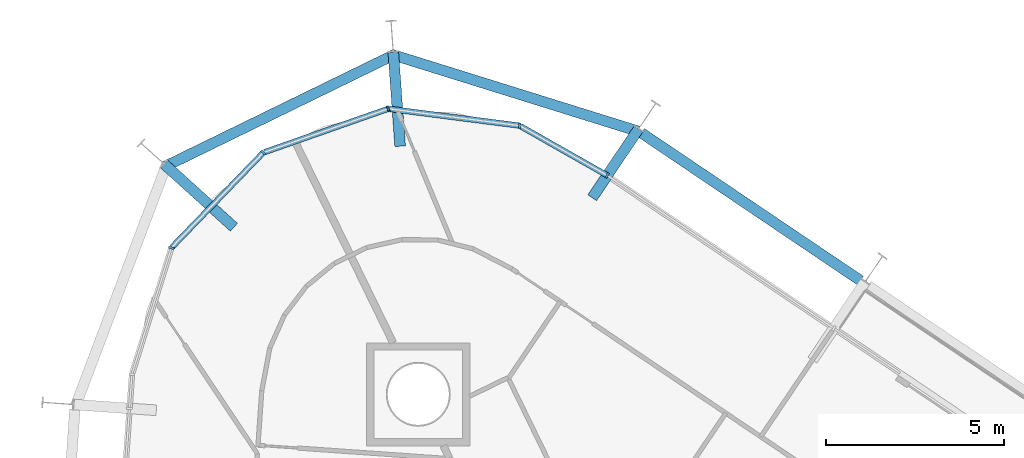
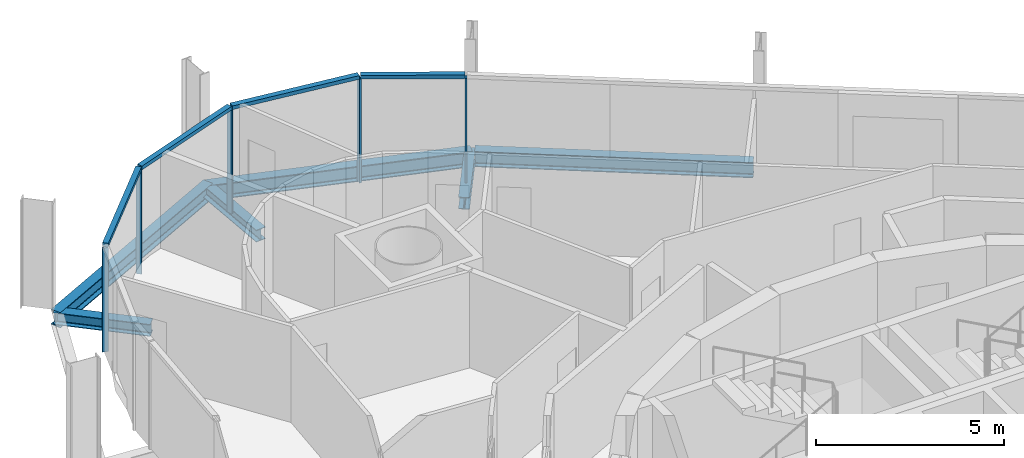
# One storey, part 8 of 18: 9 members, 6 beams, 1 element without a shape of its own.
"""IFC4 building model written with IfcOpenShell, lengths in metres."""

from ifc_helpers import new_model, si_unit, direction, frame, origin, origin_2d, place, context, subcontext, project, spatial, rectangle, i_section, extrude, material, layer, layer_set, material_profile, profile_set, type_object, element, aggregate, save


model = new_model("IFC4")

# Units and contexts
model_context = context("Model", 3, precision=1e-05, world=origin(), true_north=direction((0.0, 1.0)))
body_context = subcontext(model_context, "Body", "Model", "MODEL_VIEW")
ifc_project = project(units=[si_unit("LENGTHUNIT", "METRE"), si_unit("AREAUNIT", "SQUARE_METRE"), si_unit("VOLUMEUNIT", "CUBIC_METRE"), si_unit("PLANEANGLEUNIT", "RADIAN"), si_unit("MASSUNIT", "GRAM", prefix="KILO")], contexts=[model_context])

# Site, building, storey
site_placement = place(None, origin())
site = spatial("IfcSite", under=ifc_project, at=site_placement, CompositionType="ELEMENT")
building_placement = place(site_placement, origin())
building = spatial("IfcBuilding", under=site, at=building_placement, Name="Spindle Arch Residences", CompositionType="ELEMENT")
storey_placement = place(building_placement, frame((0.0, 0.0, 205.89990234375)))
storey = spatial("IfcBuildingStorey", under=building, at=storey_placement, Name="L52", CompositionType="ELEMENT", Elevation=205.89990234375)

# Curtain wall, members
ifc_material_1 = material(Name="Aluminium bronze unitised frame with tinted glass", Category="aluminium")
ifc_layer = layer(ifc_material_1, 0.159912109375)
ifc_layer_set = layer_set([ifc_layer], Name="CW-D corner wall on the fillet arcs")
curtain_wall_type = type_object("IfcCurtainWallType", Name="CW-D corner wall on the fillet arcs", PredefinedType="NOTDEFINED", material=ifc_layer_set)
curtain_wall_placement = place(storey_placement, origin())
curtain_wall = element("IfcCurtainWall", 1, at=curtain_wall_placement, inside=storey, type_object=curtain_wall_type, Name="CW-D L52 run 3", PredefinedType="NOTDEFINED")
ifc_material_2 = material(Name="Aluminium bronze anodised mullion", Category="aluminium")
ifc_material_profile_1 = material_profile(ifc_material_2, rectangle(XDim=0.159912109375, YDim=0.06005859375, at=origin_2d()), Name="MU 60x160")
ifc_profile_set_1 = profile_set([ifc_material_profile_1], Name="Aluminium bronze anodised mullion")
member_type_1 = type_object("IfcMemberType", Name="Bronze mullion 60x160", PredefinedType="MULLION", material=ifc_profile_set_1)
member_1_placement = place(storey_placement, frame((-3.608642578125, 24.46044921875, -0.3798828125), z_axis=(0.0, 0.0, 1.0), x_axis=(-0.493864780547, -0.86953871595, 0.0)))
member_1 = element("IfcMember", 2, at=member_1_placement, type_object=member_type_1, Name="CW-D mullion 00", PredefinedType="MULLION", context=body_context, shape_type="SweptSolid", body=[
    extrude(rectangle(XDim=0.159912109375, YDim=0.06005859375, at=origin_2d()), origin(), (0.0, 0.0, 1.0), 3.3798828125),
])
member_2_placement = place(storey_placement, frame((-6.07421875, 25.86083984375, -0.3798828125), z_axis=(0.0, 0.0, 1.0), x_axis=(-0.127641651888, -0.991820351023, 0.0)))
member_2 = element("IfcMember", 3, at=member_2_placement, type_object=member_type_1, Name="CW-D mullion 01", PredefinedType="MULLION", context=body_context, shape_type="SweptSolid", body=[
    extrude(rectangle(XDim=0.159912109375, YDim=0.06005859375, at=origin_2d()), origin(), (0.0, 0.0, 1.0), 3.3798828125),
])
member_3_placement = place(storey_placement, frame((-9.7705078125, 26.336669921875, -0.3798828125), z_axis=(0.0, 0.0, 1.0), x_axis=(0.331063412445, -0.943608508302, 0.0)))
member_3 = element("IfcMember", 4, at=member_3_placement, type_object=member_type_1, Name="CW-D mullion 02", PredefinedType="MULLION", context=body_context, shape_type="SweptSolid", body=[
    extrude(rectangle(XDim=0.159912109375, YDim=0.06005859375, at=origin_2d()), origin(), (0.0, 0.0, 1.0), 3.3798828125),
])
member_4_placement = place(storey_placement, frame((-13.287109375, 25.102783203125, -0.3798828125), z_axis=(0.0, 0.0, 1.0), x_axis=(0.719339801939, -0.694658368802, 0.0)))
member_4 = element("IfcMember", 5, at=member_4_placement, type_object=member_type_1, Name="CW-D mullion 03", PredefinedType="MULLION", context=body_context, shape_type="SweptSolid", body=[
    extrude(rectangle(XDim=0.159912109375, YDim=0.06005859375, at=origin_2d()), origin(), (0.0, 0.0, 1.0), 3.3798828125),
])
member_5_placement = place(storey_placement, frame((-15.8759765625, 22.421875, -0.3798828125), z_axis=(0.0, 0.0, 1.0), x_axis=(0.954587634064, -0.297930275218, 0.0)))
member_5 = element("IfcMember", 6, at=member_5_placement, type_object=member_type_1, Name="CW-D mullion 04", PredefinedType="MULLION", context=body_context, shape_type="SweptSolid", body=[
    extrude(rectangle(XDim=0.159912109375, YDim=0.06005859375, at=origin_2d()), origin(), (0.0, 0.0, 1.0), 3.3798828125),
])
ifc_material_3 = material(Name="Aluminium bronze anodised transom", Category="aluminium")
ifc_material_profile_2 = material_profile(ifc_material_3, rectangle(XDim=0.159912109375, YDim=0.1201171875, at=origin_2d()), Name="TR 120x160")
ifc_profile_set_2 = profile_set([ifc_material_profile_2], Name="Aluminium bronze anodised transom")
member_type_2 = type_object("IfcMemberType", Name="Bronze transom 120x160", PredefinedType="USERDEFINED", material=ifc_profile_set_2)
member_6_placement = place(storey_placement, frame((-3.634521484375, 24.475341796875, 3.06005859375), z_axis=(-0.869571592644, 0.493806890664, 0.0), x_axis=(-0.493806890664, -0.869571592644, 0.0)))
member_6 = element("IfcMember", 7, at=member_6_placement, type_object=member_type_2, Name="CW-D transom 00", ObjectType="TRANSOM", PredefinedType="USERDEFINED", context=body_context, shape_type="SweptSolid", body=[
    extrude(rectangle(XDim=0.159912109375, YDim=0.1201171875, at=origin_2d()), origin(), (0.0, 0.0, 1.0), 2.775634765625),
])
member_7_placement = place(storey_placement, frame((-6.10400390625, 25.86474609375, 3.06005859375), z_axis=(-0.991820609669, 0.127639642101, 0.0), x_axis=(-0.127639642101, -0.991820609669, 0.0)))
member_7 = element("IfcMember", 8, at=member_7_placement, type_object=member_type_2, Name="CW-D transom 01", ObjectType="TRANSOM", PredefinedType="USERDEFINED", context=body_context, shape_type="SweptSolid", body=[
    extrude(rectangle(XDim=0.159912109375, YDim=0.1201171875, at=origin_2d()), origin(), (0.0, 0.0, 1.0), 3.666748046875),
])
member_8_placement = place(storey_placement, frame((-9.798828125, 26.32666015625, 3.06005859375), z_axis=(-0.943613119154, -0.331050270141, 0.0), x_axis=(0.331050270141, -0.943613119154, 0.0)))
member_8 = element("IfcMember", 9, at=member_8_placement, type_object=member_type_2, Name="CW-D transom 02", ObjectType="TRANSOM", PredefinedType="USERDEFINED", context=body_context, shape_type="SweptSolid", body=[
    extrude(rectangle(XDim=0.159912109375, YDim=0.1201171875, at=origin_2d()), origin(), (0.0, 0.0, 1.0), 3.666748046875),
])
member_9_placement = place(storey_placement, frame((-13.307861328125, 25.081298828125, 3.06005859375), z_axis=(-0.694647982093, -0.719349832122, 0.0), x_axis=(0.719349832122, -0.694647982093, 0.0)))
member_9 = element("IfcMember", 10, at=member_9_placement, type_object=member_type_2, Name="CW-D transom 03", ObjectType="TRANSOM", PredefinedType="USERDEFINED", context=body_context, shape_type="SweptSolid", body=[
    extrude(rectangle(XDim=0.159912109375, YDim=0.1201171875, at=origin_2d()), origin(), (0.0, 0.0, 1.0), 3.666748046875),
])
aggregate(curtain_wall, [member_1, member_6, member_2, member_7, member_3, member_8, member_4, member_9, member_5])

# Beams
ifc_material_4 = material(Name="Steel S460ML, intumescent coating R 120", Category="steel")
ifc_material_profile_3 = material_profile(ifc_material_4, i_section(OverallWidth=0.300048828125, OverallDepth=0.5, WebThickness=0.014404296875, FlangeThickness=0.028076171875, FilletRadius=0.027099609375, at=origin_2d()), Name="HEB 500")
ifc_profile_set_3 = profile_set([ifc_material_profile_3], Name="Steel S460ML, intumescent coating R 120")
beam_type_1 = type_object("IfcBeamType", Name="Exoskeleton edge beam HEB 500", PredefinedType="BEAM", material=ifc_profile_set_3)
beam_1_placement = place(storey_placement, frame((3.517578125, 21.499267578125, -0.6298828125), z_axis=(-0.829031763913, 0.55920151504, 0.0), x_axis=(-0.55920151504, -0.829031763913, 0.0)))
element("IfcBeam", 11, at=beam_1_placement, inside=storey, type_object=beam_type_1, Name="Exoskeleton edge beam 9", PredefinedType="BEAM", context=body_context, shape_type="SweptSolid", body=[
    extrude(i_section(OverallWidth=0.300048828125, OverallDepth=0.5, WebThickness=0.014404296875, FlangeThickness=0.028076171875, FilletRadius=0.027099609375, at=origin_2d()), origin(), (0.0, 0.0, 1.0), 7.433837890625),
])
beam_2_placement = place(storey_placement, frame((-2.729248046875, 25.7001953125, -0.6298828125), z_axis=(-0.954689668885, 0.297603152072, 0.0), x_axis=(-0.297603152072, -0.954689668885, 0.0)))
element("IfcBeam", 12, at=beam_2_placement, inside=storey, type_object=beam_type_1, Name="Exoskeleton edge beam 10", PredefinedType="BEAM", context=body_context, shape_type="SweptSolid", body=[
    extrude(i_section(OverallWidth=0.300048828125, OverallDepth=0.5, WebThickness=0.014404296875, FlangeThickness=0.028076171875, FilletRadius=0.027099609375, at=origin_2d()), origin(), (0.0, 0.0, 1.0), 7.263427734375),
])
beam_3_placement = place(storey_placement, frame((-9.563720703125, 27.876708984375, -0.6298828125), z_axis=(-0.89878236333, -0.438395099616, 0.0), x_axis=(0.438395099616, -0.89878236333, 0.0)))
element("IfcBeam", 13, at=beam_3_placement, inside=storey, type_object=beam_type_1, Name="Exoskeleton edge beam 11", PredefinedType="BEAM", context=body_context, shape_type="SweptSolid", body=[
    extrude(i_section(OverallWidth=0.300048828125, OverallDepth=0.5, WebThickness=0.014404296875, FlangeThickness=0.028076171875, FilletRadius=0.027099609375, at=origin_2d()), origin(), (0.0, 0.0, 1.0), 7.2490234375),
])
ifc_material_5 = material(Name="Steel S460ML, intumescent coating R 120", Category="steel")
ifc_material_profile_4 = material_profile(ifc_material_5, i_section(OverallWidth=0.300048828125, OverallDepth=0.389892578125, WebThickness=0.010986328125, FlangeThickness=0.01904296875, FilletRadius=0.027099609375, at=origin_2d()), Name="HEA 400")
ifc_profile_set_4 = profile_set([ifc_material_profile_4], Name="Steel S460ML, intumescent coating R 120")
beam_type_2 = type_object("IfcBeamType", Name="Floor outrigger HEA 400", PredefinedType="BEAM", material=ifc_profile_set_4)
beam_4_placement = place(storey_placement, frame((-2.730712890625, 25.761962890625, -0.574951171875), z_axis=(-0.559170171593, -0.829052904947, 0.0), x_axis=(0.829052904947, -0.559170171593, 0.0)))
element("IfcBeam", 14, at=beam_4_placement, inside=storey, type_object=beam_type_2, Name="Floor outrigger 10", PredefinedType="BEAM", context=body_context, shape_type="SweptSolid", body=[
    extrude(i_section(OverallWidth=0.300048828125, OverallDepth=0.389892578125, WebThickness=0.010986328125, FlangeThickness=0.01904296875, FilletRadius=0.027099609375, at=origin_2d()), origin(), (0.0, 0.0, 1.0), 2.32763671875),
])
for number, where, z_axis, x_axis, name in (
    (15, (-9.62890625, 27.92529296875, -0.574951171875), (0.072870594007, -0.997341404199, 0.0), (0.997341404199, 0.072870594007, 0.0), "Floor outrigger 11"),
    (16, (-16.0771484375, 24.780029296875, -0.574951171875), (0.741072898018, -0.671424574932, 0.0), (0.671424574932, 0.741072898018, 0.0), "Floor outrigger 12"),
):
    element("IfcBeam", number, at=place(storey_placement, frame(where, z_axis=z_axis, x_axis=x_axis)), inside=storey, type_object=beam_type_2, Name=name, PredefinedType="BEAM", context=body_context, shape_type="SweptSolid", body=[
        extrude(i_section(OverallWidth=0.300048828125, OverallDepth=0.389892578125, WebThickness=0.010986328125, FlangeThickness=0.01904296875, FilletRadius=0.027099609375, at=origin_2d()), origin(), (0.0, 0.0, 1.0), 2.650146484375),
    ])

save(model, "model.ifc")
